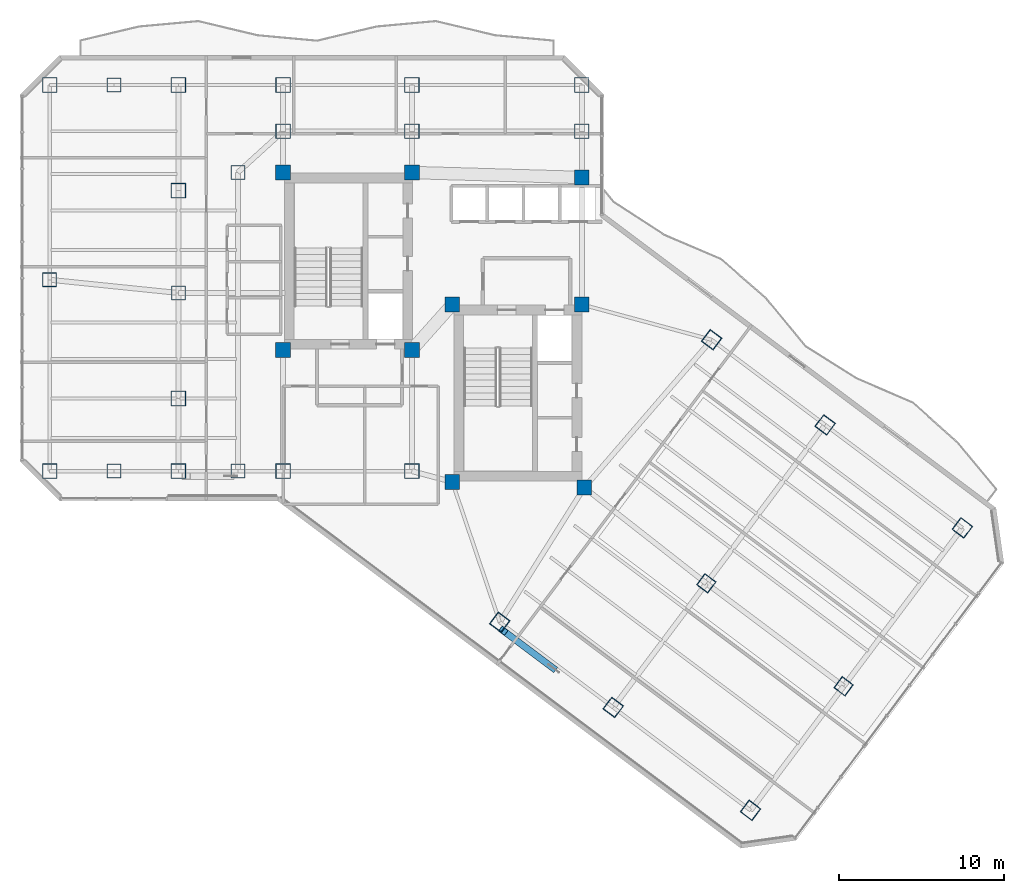
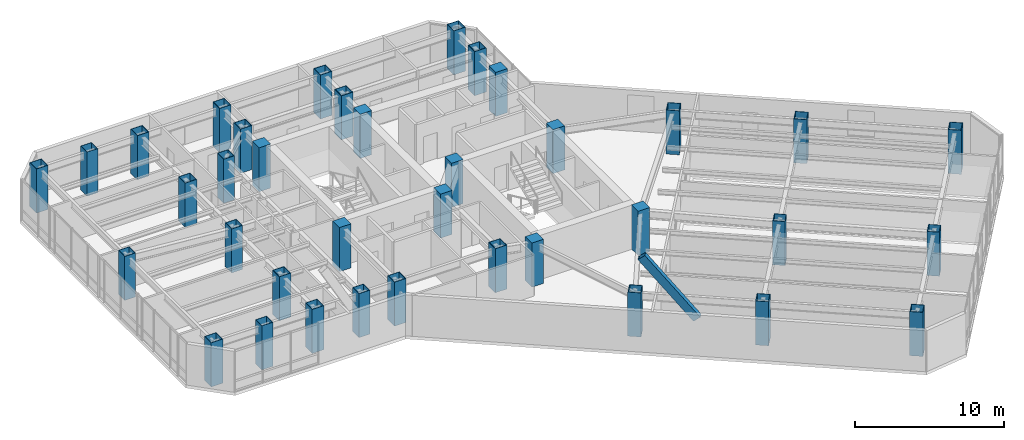
# One storey, part 1 of 31: 37 columns, 1 member.
"""IFC4 building model written with IfcOpenShell, lengths in metres."""

from ifc_helpers import new_model, si_unit, direction, frame, origin, origin_2d, place, context, subcontext, project, spatial, rectangle, hollow_rectangle, extrude, material, material_profile, profile_set, type_object, element, save


model = new_model("IFC4")

# Units and contexts
model_context = context("Model", 3, precision=1e-05, world=origin(), true_north=direction((0.0, 1.0)))
body_context = subcontext(model_context, "Body", "Model", "MODEL_VIEW")
ifc_project = project(units=[si_unit("LENGTHUNIT", "METRE"), si_unit("AREAUNIT", "SQUARE_METRE"), si_unit("VOLUMEUNIT", "CUBIC_METRE"), si_unit("PLANEANGLEUNIT", "RADIAN"), si_unit("MASSUNIT", "GRAM", prefix="KILO")], contexts=[model_context])

# Site, building, storey
site_placement = place(None, origin())
site = spatial("IfcSite", under=ifc_project, at=site_placement, CompositionType="ELEMENT")
building_placement = place(site_placement, origin())
building = spatial("IfcBuilding", under=site, at=building_placement, Name="Hatsunagi Terrace Concourse", CompositionType="ELEMENT")
storey_placement = place(building_placement, frame((0.0, 0.0, 112.050048828125)))
storey = spatial("IfcBuildingStorey", under=building, at=storey_placement, Name="L29", CompositionType="ELEMENT", Elevation=112.050048828125)

# Columns
ifc_material_1 = material(Name="Concrete Fc48", Category="concrete")
ifc_material_profile_1 = material_profile(ifc_material_1, rectangle(XDim=0.89990234375, YDim=0.89990234375, at=origin_2d()), Name="RC-900x900")
ifc_profile_set_1 = profile_set([ifc_material_profile_1], Name="Concrete Fc48")
column_type_1 = type_object("IfcColumnType", Name="CoreColumn_RC_900x900", PredefinedType="COLUMN", material=ifc_profile_set_1)
for number, where, z_axis, x_axis, name in (
    (1, (25.550048828125, 32.550048828125, 0.0), (0.0, 0.0, 1.0), (1.0, 0.0, 0.0), "Column C-02 L29-CASW"),
    (2, (33.35009765625, 32.550048828125, 0.0), (0.0, 0.0, 1.0), (1.0, 0.0, 0.0), "Column C-02 L29-CASE"),
    (3, (25.550048828125, 43.300048828125, 0.0), (0.0, 0.0, 1.0), (1.0, 0.0, 0.0), "Column C-02 L29-CANW"),
    (4, (33.35009765625, 43.300048828125, 0.0), (0.0, 0.0, 1.0), (1.0, 0.0, 0.0), "Column C-02 L29-CANE"),
    (5, (35.800048828125, 24.550048828125, 0.0), (0.0, 0.0, 1.0), (1.0, 0.0, 0.0), "Column C-02 L29-CBSW"),
    (6, (43.800048828125, 24.199951171875, 0.0), (0.0, 0.0, 1.0), (1.0, 0.0, 0.0), "Column C-02 L29-CBSE"),
    (7, (35.800048828125, 35.300048828125, 0.0), (0.0, 0.0, 1.0), (1.0, 0.0, 0.0), "Column C-02 L29-CBNW"),
    (8, (43.64990234375, 35.300048828125, 0.0), (0.0, 0.0, 1.0), (1.0, 0.0, 0.0), "Column C-02 L29-CBNE"),
    (9, (43.64990234375, 43.0, 0.0), (0.0, 0.0, 1.0), (1.0, 0.0, 0.0), "Column C-02 L29-K3"),
):
    element("IfcColumn", number, at=place(storey_placement, frame(where, z_axis=z_axis, x_axis=x_axis)), inside=storey, type_object=column_type_1, Name=name, PredefinedType="COLUMN", context=body_context, shape_type="SweptSolid", body=[
        extrude(rectangle(XDim=0.89990234375, YDim=0.89990234375, at=origin_2d()), origin(), (0.0, 0.0, 1.0), 3.599853515625),
    ])
ifc_material_2 = material(Name="Steel BCP325T", Category="steel")
ifc_material_profile_2 = material_profile(ifc_material_2, hollow_rectangle(XDim=0.85009765625, YDim=0.85009765625, WallThickness=0.031982421875, at=origin_2d()), Name="BCP-850x850x32")
ifc_profile_set_2 = profile_set([ifc_material_profile_2], Name="Steel BCP325T")
column_type_2 = type_object("IfcColumnType", Name="TowerBoxColumn_850x850x32", PredefinedType="COLUMN", material=ifc_profile_set_2)
for number, where, z_axis, x_axis, name in (
    (10, (22.800048828125, 25.199951171875, 0.0), (0.0, 0.0, 1.0), (1.0, 0.0, 0.0), "Column C-05 L29-CW1"),
    (11, (22.800048828125, 43.300048828125, 0.0), (0.0, 0.0, 1.0), (1.0, 0.0, 0.0), "Column C-05 L29-CW2"),
    (12, (11.39990234375, 36.800048828125, 0.0), (0.0, 0.0, 1.0), (1.0, 0.0, 0.0), "Column C-05 L29-WT1"),
    (13, (19.199951171875, 36.0, 0.0), (0.0, 0.0, 1.0), (1.0, 0.0, 0.0), "Column C-05 L29-WT2"),
    (14, (15.300048828125, 25.199951171875, 0.0), (0.0, 0.0, 1.0), (1.0, 0.0, 0.0), "Column C-05 L29-WT3"),
    (15, (15.300048828125, 48.60009765625, 0.0), (0.0, 0.0, 1.0), (1.0, 0.0, 0.0), "Column C-05 L29-WT4"),
    (16, (51.199951171875, 18.39990234375, 0.0), (0.0, 0.0, 1.0), (0.799999996291, -0.600000004945, 0.0), "Column C-05 L29-SEM2"),
    (17, (59.52001953125, 12.159912109375, 0.0), (0.0, 0.0, 1.0), (0.799999996291, -0.600000004945, 0.0), "Column C-05 L29-SEM3"),
):
    element("IfcColumn", number, at=place(storey_placement, frame(where, z_axis=z_axis, x_axis=x_axis)), inside=storey, type_object=column_type_2, Name=name, PredefinedType="COLUMN", context=body_context, shape_type="SweptSolid", body=[
        extrude(hollow_rectangle(XDim=0.85009765625, YDim=0.85009765625, WallThickness=0.031982421875, at=origin_2d()), origin(), (0.0, 0.0, 1.0), 3.599853515625),
    ])
ifc_material_3 = material(Name="Steel BCP325T", Category="steel")
ifc_material_profile_3 = material_profile(ifc_material_3, hollow_rectangle(XDim=0.89990234375, YDim=0.89990234375, WallThickness=0.035888671875, at=origin_2d()), Name="BCP-900x900x36")
ifc_profile_set_3 = profile_set([ifc_material_profile_3], Name="Steel BCP325T")
column_type_3 = type_object("IfcColumnType", Name="TowerBoxColumn_900x900x36", PredefinedType="COLUMN", material=ifc_profile_set_3)
for number, where, z_axis, x_axis, name in (
    (18, (25.550048828125, 25.199951171875, 0.0), (0.0, 0.0, 1.0), (1.0, 0.0, 0.0), "Column C-04 L29-K1"),
    (19, (33.35009765625, 25.199951171875, 0.0), (0.0, 0.0, 1.0), (1.0, 0.0, 0.0), "Column C-04 L29-K2"),
    (20, (25.550048828125, 45.800048828125, 0.0), (0.0, 0.0, 1.0), (1.0, 0.0, 0.0), "Column C-04 L29-CN1"),
    (21, (33.35009765625, 45.800048828125, 0.0), (0.0, 0.0, 1.0), (1.0, 0.0, 0.0), "Column C-04 L29-CN2"),
    (22, (43.64990234375, 45.800048828125, 0.0), (0.0, 0.0, 1.0), (1.0, 0.0, 0.0), "Column C-04 L29-CN3"),
    (23, (11.39990234375, 25.199951171875, 0.0), (0.0, 0.0, 1.0), (1.0, 0.0, 0.0), "Column C-04 L29-WS2"),
    (24, (11.39990234375, 48.60009765625, 0.0), (0.0, 0.0, 1.0), (1.0, 0.0, 0.0), "Column C-04 L29-WN2"),
    (25, (19.199951171875, 48.60009765625, 0.0), (0.0, 0.0, 1.0), (1.0, 0.0, 0.0), "Column C-04 L29-WN3"),
    (26, (25.550048828125, 48.60009765625, 0.0), (0.0, 0.0, 1.0), (1.0, 0.0, 0.0), "Column C-04 L29-WN4"),
    (27, (33.35009765625, 48.60009765625, 0.0), (0.0, 0.0, 1.0), (1.0, 0.0, 0.0), "Column C-04 L29-WN5"),
    (28, (43.64990234375, 48.60009765625, 0.0), (0.0, 0.0, 1.0), (1.0, 0.0, 0.0), "Column C-04 L29-WN6"),
    (29, (19.199951171875, 25.199951171875, 0.0), (0.0, 0.0, 1.0), (1.0, 0.0, 0.0), "Column C-04 L29-WS3"),
    (30, (19.199951171875, 29.60009765625, 0.0), (0.0, 0.0, 1.0), (1.0, 0.0, 0.0), "Column C-04 L29-WR1"),
    (31, (19.199951171875, 42.199951171875, 0.0), (0.0, 0.0, 1.0), (1.0, 0.0, 0.0), "Column C-04 L29-WR2"),
    (32, (38.679931640625, 16.0400390625, 0.0), (0.0, 0.0, 1.0), (0.799999996291, -0.600000004945, 0.0), "Column C-04 L29-SES1"),
    (33, (51.52001953125, 33.159912109375, 0.0), (0.0, 0.0, 1.0), (0.799999996291, -0.600000004945, 0.0), "Column C-04 L29-SEN1"),
    (34, (45.56005859375, 10.8798828125, 0.0), (0.0, 0.0, 1.0), (0.799999996291, -0.600000004945, 0.0), "Column C-04 L29-SES2"),
    (35, (58.39990234375, 28.0, 0.0), (0.0, 0.0, 1.0), (0.799999996291, -0.600000004945, 0.0), "Column C-04 L29-SEN2"),
    (36, (53.8798828125, 4.639892578125, 0.0), (0.0, 0.0, 1.0), (0.799999996291, -0.600000004945, 0.0), "Column C-04 L29-SES3"),
    (37, (66.719970703125, 21.760009765625, 0.0), (0.0, 0.0, 1.0), (0.799999996291, -0.600000004945, 0.0), "Column C-04 L29-SEN3"),
):
    element("IfcColumn", number, at=place(storey_placement, frame(where, z_axis=z_axis, x_axis=x_axis)), inside=storey, type_object=column_type_3, Name=name, PredefinedType="COLUMN", context=body_context, shape_type="SweptSolid", body=[
        extrude(hollow_rectangle(XDim=0.89990234375, YDim=0.89990234375, WallThickness=0.035888671875, at=origin_2d()), origin(), (0.0, 0.0, 1.0), 3.599853515625),
    ])

# Member
ifc_material_4 = material(Name="Steel SN490B", Category="steel")
ifc_material_profile_4 = material_profile(ifc_material_4, hollow_rectangle(XDim=0.39990234375, YDim=0.60009765625, WallThickness=0.02490234375, at=origin_2d()), Name="RHS-600x400x25")
ifc_profile_set_4 = profile_set([ifc_material_profile_4], Name="Steel SN490B")
member_type = type_object("IfcMemberType", Name="PerimeterXBrace_Mid_RHS_600x400x25", PredefinedType="BRACE", material=ifc_profile_set_4)
member_placement = place(storey_placement, frame((38.89208984375, 15.531005859375, 6.510009765625), z_axis=(0.496408965063, -0.372256073956, -0.784221623527), x_axis=(0.599947755529, 0.800039180688, 0.0)))
element("IfcMember", 38, at=member_placement, inside=storey, type_object=member_type, Name="Perimeter X-Brace Split Upper XB-02 XB-L28-SEB1", PredefinedType="BRACE", context=body_context, shape_type="SweptSolid", body=[
    extrude(hollow_rectangle(XDim=0.39990234375, YDim=0.60009765625, WallThickness=0.02490234375, at=origin_2d()), origin(), (0.0, 0.0, 1.0), 6.025146484375),
])

save(model, "model.ifc")
